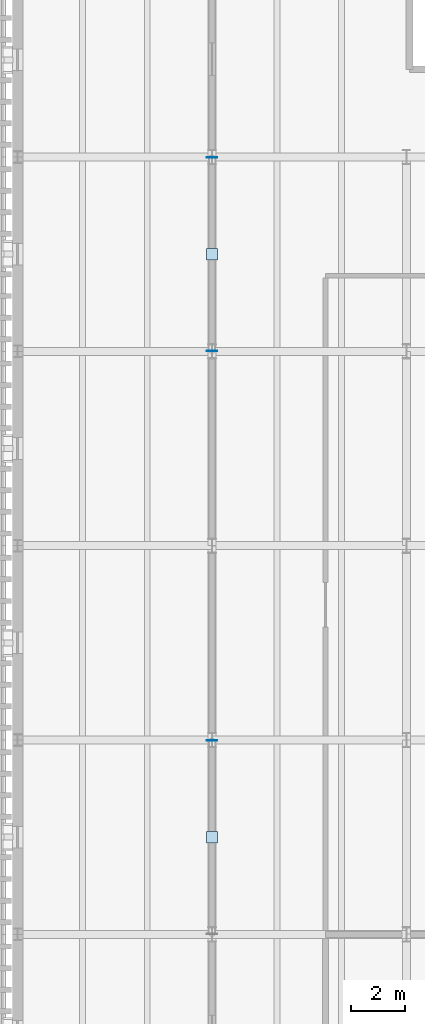
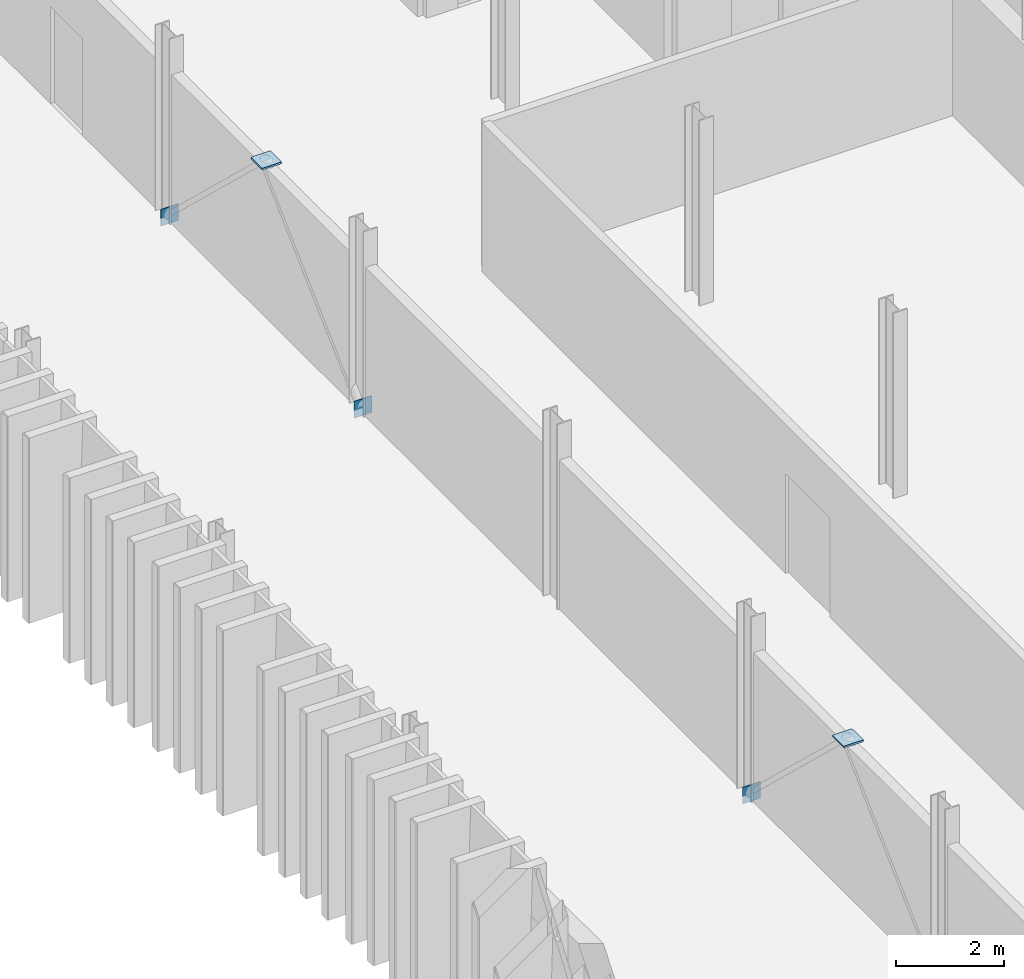
# One storey, part 52 of 91: 5 plates.
"""IFC4 building model written with IfcOpenShell, lengths in metres."""

from ifc_helpers import new_model, si_unit, direction, frame, origin, origin_2d, place, context, subcontext, project, spatial, rectangle, extrude, material, layer, layer_set, type_object, element, save


model = new_model("IFC4")

# Units and contexts
model_context = context("Model", 3, precision=1e-05, world=origin(), true_north=direction((0.0, 1.0)))
body_context = subcontext(model_context, "Body", "Model", "MODEL_VIEW")
ifc_project = project(units=[si_unit("LENGTHUNIT", "METRE"), si_unit("AREAUNIT", "SQUARE_METRE"), si_unit("VOLUMEUNIT", "CUBIC_METRE"), si_unit("PLANEANGLEUNIT", "RADIAN"), si_unit("MASSUNIT", "GRAM", prefix="KILO")], contexts=[model_context])

# Site, building, storey
site_placement = place(None, origin())
site = spatial("IfcSite", under=ifc_project, at=site_placement, CompositionType="ELEMENT")
building_placement = place(site_placement, origin())
building = spatial("IfcBuilding", under=site, at=building_placement, Name="Narikvali Park Central Library", CompositionType="ELEMENT")
storey_placement = place(building_placement, frame((0.0, 0.0, 14.39990234375)))
storey = spatial("IfcBuildingStorey", under=building, at=storey_placement, Name="L03", CompositionType="ELEMENT", Elevation=14.39990234375)

# Plates
ifc_material = material(Name="Steel S355", Category="steel")
ifc_layer_1 = layer(ifc_material, 0.013916015625, Name="Steel S355")
ifc_layer_set_1 = layer_set([ifc_layer_1], Name="Steel S355")
plate_type_1 = type_object("IfcPlateType", Name="Steel Hollow End Cap Plate 14", PredefinedType="SHEET", material=ifc_layer_set_1)
for number, where, z_axis, x_axis, name in (
    (1, (7.199951171875, 79.18798828125, -0.177734375), (0.0, 0.0, 1.0), (1.0, 0.0, 0.0), "Hollow Section Steel End Cap BR-ECAP-1-L03-B0"),
    (2, (7.199951171875, 93.612060546875, -0.177734375), (0.0, 0.0, 1.0), (-1.0, 0.0, 0.0), "Hollow Section Steel End Cap BR-ECAP-2-L03-A0"),
    (3, (7.199951171875, 100.787841796875, -0.177734375), (0.0, 0.0, 1.0), (1.0, 0.0, 0.0), "Hollow Section Steel End Cap BR-ECAP-2-L03-B0"),
):
    element("IfcPlate", number, at=place(storey_placement, frame(where, z_axis=z_axis, x_axis=x_axis)), inside=storey, type_object=plate_type_1, Name=name, PredefinedType="SHEET", context=body_context, shape_type="SweptSolid", body=[
        extrude(rectangle(XDim=0.3798828125, YDim=0.013916015625, at=origin_2d()), origin(), (0.0, 0.0, 1.0), 0.3798828125),
    ])
ifc_layer_2 = layer(ifc_material, 0.0380859375, Name="Steel S355")
ifc_layer_set_2 = layer_set([ifc_layer_2], Name="Steel S355")
plate_type_2 = type_object("IfcPlateType", Name="Truss Splice Gusset Plate 38", PredefinedType="SHEET", material=ifc_layer_set_2)
for number, where, z_axis, x_axis, name in (
    (4, (7.199951171875, 75.60009765625, 3.401123046875), (0.0, 0.0, 1.0), (1.0, 0.0, 0.0), "V5 L03 Chevron Apex Gusset Cap Plate"),
    (5, (7.199951171875, 97.199951171875, 3.401123046875), (0.0, 0.0, 1.0), (1.0, 0.0, 0.0), "V5 L03 Chevron Apex Gusset Cap Plate"),
):
    element("IfcPlate", number, at=place(storey_placement, frame(where, z_axis=z_axis, x_axis=x_axis)), inside=storey, type_object=plate_type_2, Name=name, PredefinedType="SHEET", context=body_context, shape_type="SweptSolid", body=[
        extrude(rectangle(XDim=0.419921875, YDim=0.419921875, at=origin_2d()), origin(), (0.0, 0.0, 1.0), 0.0380859375),
    ])

save(model, "model.ifc")
